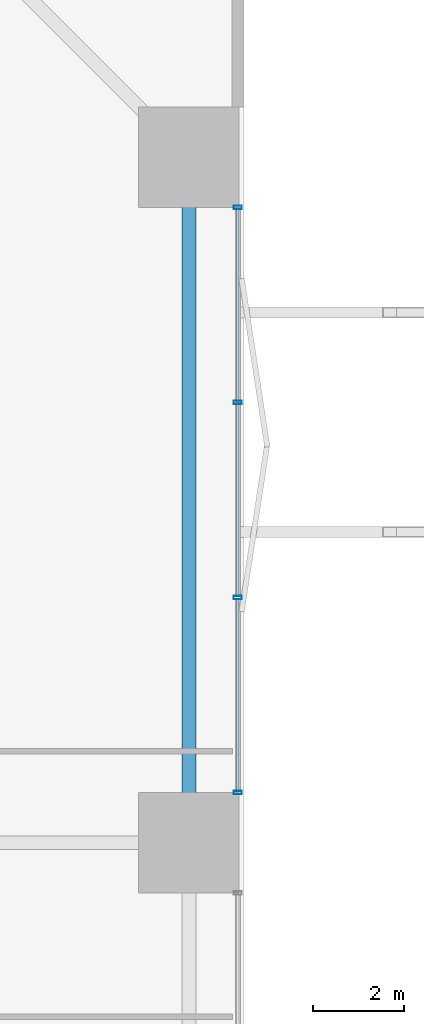
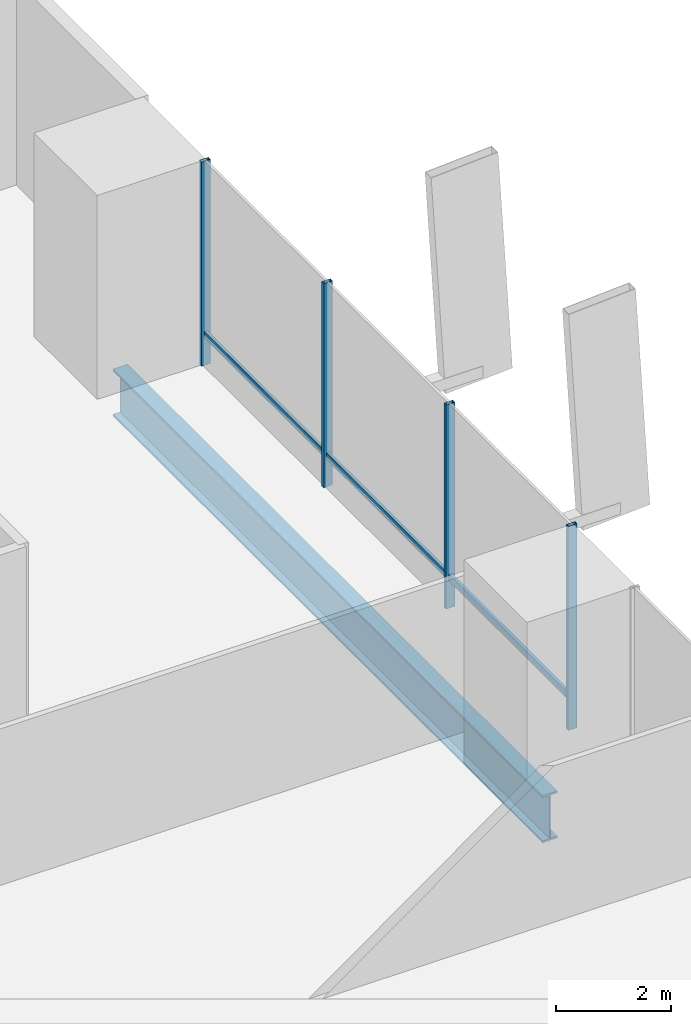
# One storey, part 15 of 24: 7 members, 1 beam, 1 element without a shape of its own.
"""IFC4 building model written with IfcOpenShell, lengths in metres."""

from ifc_helpers import new_model, si_unit, direction, frame, origin, origin_2d, place, context, subcontext, project, spatial, hollow_rectangle, i_section, extrude, material, layer, layer_set, material_profile, profile_set, type_object, element, aggregate, save


model = new_model("IFC4")

# Units and contexts
model_context = context("Model", 3, precision=1e-05, world=origin(), true_north=direction((0.0, 1.0)))
body_context = subcontext(model_context, "Body", "Model", "MODEL_VIEW")
ifc_project = project(units=[si_unit("LENGTHUNIT", "METRE"), si_unit("AREAUNIT", "SQUARE_METRE"), si_unit("VOLUMEUNIT", "CUBIC_METRE"), si_unit("PLANEANGLEUNIT", "RADIAN"), si_unit("MASSUNIT", "GRAM", prefix="KILO")], contexts=[model_context])

# Site, building, storey
site_placement = place(None, origin())
site = spatial("IfcSite", under=ifc_project, at=site_placement, CompositionType="ELEMENT")
building_placement = place(site_placement, origin())
building = spatial("IfcBuilding", under=site, at=building_placement, Name="Belovzor Exchange Tower", CompositionType="ELEMENT")
storey_placement = place(building_placement, frame((0.0, 0.0, 19.199951171875)))
storey = spatial("IfcBuildingStorey", under=building, at=storey_placement, Name="L04", CompositionType="ELEMENT", Elevation=19.199951171875)

# Beam
ifc_material_1 = material(Name="Steel S460", Category="steel")
ifc_material_profile_1 = material_profile(ifc_material_1, i_section(OverallWidth=0.300048828125, OverallDepth=1.0, WebThickness=0.02099609375, FlangeThickness=0.0400390625, at=origin_2d()))
ifc_profile_set_1 = profile_set([ifc_material_profile_1], Name="Steel S460")
beam_type = type_object("IfcBeamType", Name="Podium Exchange Hall Ring Girder HEM 1000", PredefinedType="BEAM", material=ifc_profile_set_1)
beam_placement = place(storey_placement, frame((55.800048828125, 28.800048828125, -0.849853515625), z_axis=(0.0, 1.0, 0.0), x_axis=(-1.0, 0.0, 0.0)))
element("IfcBeam", 1, at=beam_placement, inside=storey, type_object=beam_type, Name="PG-1 Podium Exchange Hall Ring Girder HEM 1000", PredefinedType="BEAM", context=body_context, shape_type="SweptSolid", body=[
    extrude(i_section(OverallWidth=0.300048828125, OverallDepth=1.0, WebThickness=0.02099609375, FlangeThickness=0.0400390625, at=origin_2d()), origin(), (0.0, 0.0, 1.0), 15.0),
])

# Curtain wall, members
ifc_material_2 = material(Name="Anodised Aluminium Framing", Category="aluminium")
ifc_layer = layer(ifc_material_2, 0.2099609375)
ifc_layer_set = layer_set([ifc_layer], Name="Anodised Aluminium Framing")
curtain_wall_type = type_object("IfcCurtainWallType", Name="Double-Height Concourse & Gallery Curtain Wall", PredefinedType="NOTDEFINED", material=ifc_layer_set)
curtain_wall_placement = place(storey_placement, origin())
curtain_wall = element("IfcCurtainWall", 2, at=curtain_wall_placement, inside=storey, type_object=curtain_wall_type, Name="CW2 Double-Height Concourse & Gallery Curtain Wall L04", PredefinedType="NOTDEFINED")
ifc_material_3 = material(Name="Steel S355", Category="steel")
ifc_material_profile_2 = material_profile(ifc_material_3, hollow_rectangle(XDim=0.074951171875, YDim=0.179931640625, WallThickness=0.0048828125, at=origin_2d()))
ifc_profile_set_2 = profile_set([ifc_material_profile_2], Name="Steel S355")
member_type_1 = type_object("IfcMemberType", Name="Thermally Broken Curtain Wall Mullion 180x75", PredefinedType="MULLION", material=ifc_profile_set_2)
member_1_placement = place(storey_placement, frame((56.8701171875, 42.699951171875, 0.0), z_axis=(0.0, 0.0, 1.0), x_axis=(0.0, -1.0, 0.0)))
member_1 = element("IfcMember", 3, at=member_1_placement, type_object=member_type_1, Name="CW-M180 Curtain Wall Mullion 1", PredefinedType="MULLION", context=body_context, shape_type="SweptSolid", body=[
    extrude(hollow_rectangle(XDim=0.074951171875, YDim=0.179931640625, WallThickness=0.0048828125, at=origin_2d()), origin(), (0.0, 0.0, 1.0), 4.35009765625),
])
member_2_placement = place(storey_placement, frame((56.8701171875, 38.43310546875, 0.0), z_axis=(0.0, 0.0, 1.0), x_axis=(0.0, -1.0, 0.0)))
member_2 = element("IfcMember", 4, at=member_2_placement, type_object=member_type_1, Name="CW-M180 Curtain Wall Mullion 2", PredefinedType="MULLION", context=body_context, shape_type="SweptSolid", body=[
    extrude(hollow_rectangle(XDim=0.074951171875, YDim=0.179931640625, WallThickness=0.0048828125, at=origin_2d()), origin(), (0.0, 0.0, 1.0), 4.35009765625),
])
member_3_placement = place(storey_placement, frame((56.8701171875, 34.1669921875, 0.0), z_axis=(0.0, 0.0, 1.0), x_axis=(0.0, -1.0, 0.0)))
member_3 = element("IfcMember", 5, at=member_3_placement, type_object=member_type_1, Name="CW-M180 Curtain Wall Mullion 3", PredefinedType="MULLION", context=body_context, shape_type="SweptSolid", body=[
    extrude(hollow_rectangle(XDim=0.074951171875, YDim=0.179931640625, WallThickness=0.0048828125, at=origin_2d()), origin(), (0.0, 0.0, 1.0), 4.35009765625),
])
member_4_placement = place(storey_placement, frame((56.8701171875, 29.89990234375, 0.0), z_axis=(0.0, 0.0, 1.0), x_axis=(0.0, -1.0, 0.0)))
member_4 = element("IfcMember", 6, at=member_4_placement, type_object=member_type_1, Name="CW-M180 Curtain Wall Mullion 4", PredefinedType="MULLION", context=body_context, shape_type="SweptSolid", body=[
    extrude(hollow_rectangle(XDim=0.074951171875, YDim=0.179931640625, WallThickness=0.0048828125, at=origin_2d()), origin(), (0.0, 0.0, 1.0), 4.35009765625),
])
ifc_material_4 = material(Name="Steel S355", Category="steel")
ifc_material_profile_3 = material_profile(ifc_material_4, hollow_rectangle(XDim=0.06005859375, YDim=0.14990234375, WallThickness=0.00390625, at=origin_2d()))
ifc_profile_set_3 = profile_set([ifc_material_profile_3], Name="Steel S355")
member_type_2 = type_object("IfcMemberType", Name="Thermally Broken Curtain Wall Transom 150x60", PredefinedType="USERDEFINED", material=ifc_profile_set_3)
member_5_placement = place(storey_placement, frame((56.8701171875, 42.69189453125, 0.650146484375), z_axis=(0.0, -1.0, 0.0), x_axis=(1.0, 0.0, 0.0)))
member_5 = element("IfcMember", 7, at=member_5_placement, type_object=member_type_2, Name="CW-T150 Curtain Wall Transom 1", ObjectType="TRANSOM", PredefinedType="USERDEFINED", context=body_context, shape_type="SweptSolid", body=[
    extrude(hollow_rectangle(XDim=0.06005859375, YDim=0.14990234375, WallThickness=0.00390625, at=origin_2d()), origin(), (0.0, 0.0, 1.0), 4.2509765625),
])
member_6_placement = place(storey_placement, frame((56.8701171875, 38.425048828125, 0.650146484375), z_axis=(0.0, -1.0, 0.0), x_axis=(1.0, 0.0, 0.0)))
member_6 = element("IfcMember", 8, at=member_6_placement, type_object=member_type_2, Name="CW-T150 Curtain Wall Transom 2", ObjectType="TRANSOM", PredefinedType="USERDEFINED", context=body_context, shape_type="SweptSolid", body=[
    extrude(hollow_rectangle(XDim=0.06005859375, YDim=0.14990234375, WallThickness=0.00390625, at=origin_2d()), origin(), (0.0, 0.0, 1.0), 4.25),
])
member_7_placement = place(storey_placement, frame((56.8701171875, 34.158935546875, 0.650146484375), z_axis=(0.0, -1.0, 0.0), x_axis=(1.0, 0.0, 0.0)))
member_7 = element("IfcMember", 9, at=member_7_placement, type_object=member_type_2, Name="CW-T150 Curtain Wall Transom 3", ObjectType="TRANSOM", PredefinedType="USERDEFINED", context=body_context, shape_type="SweptSolid", body=[
    extrude(hollow_rectangle(XDim=0.06005859375, YDim=0.14990234375, WallThickness=0.00390625, at=origin_2d()), origin(), (0.0, 0.0, 1.0), 4.2509765625),
])
aggregate(curtain_wall, [member_1, member_2, member_3, member_4, member_5, member_6, member_7])

save(model, "model.ifc")
